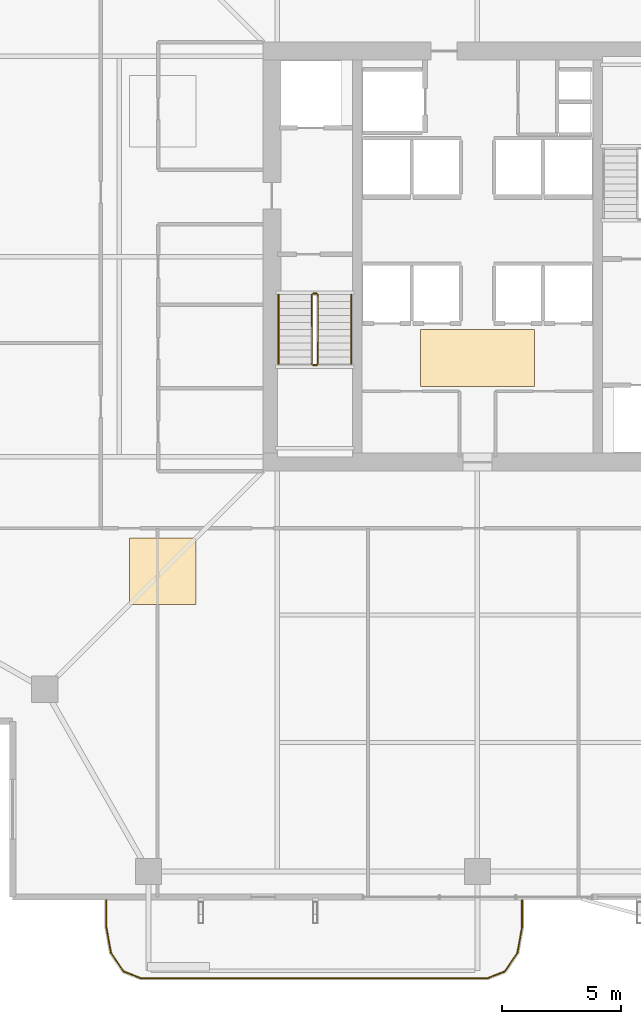
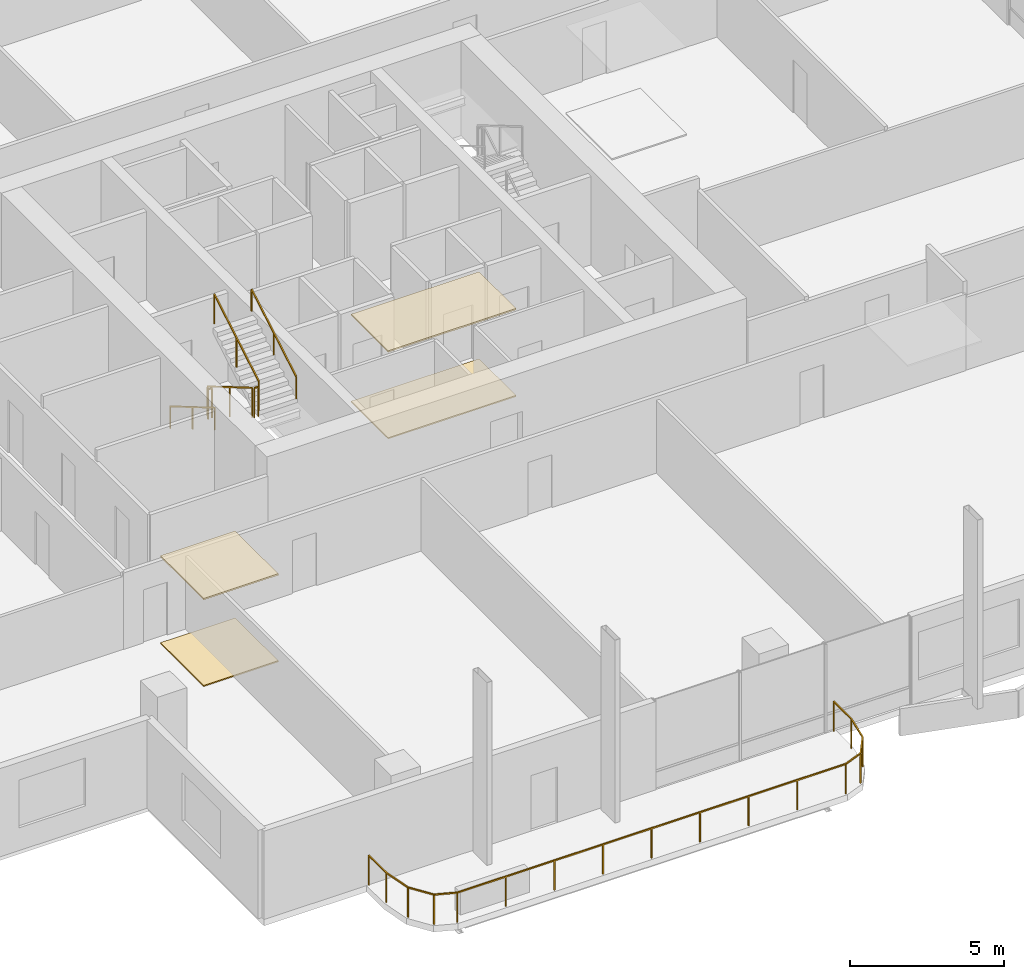
# One storey, part 21 of 24: 7 railings, 4 coverings.
"""IFC4 building model written with IfcOpenShell, lengths in metres."""

from ifc_helpers import new_model, si_unit, direction, frame, origin, origin_2d, place, context, subcontext, project, spatial, polyline, rectangle, outline, extrude, material, layer, layer_set, type_object, element, save


model = new_model("IFC4")

# Units and contexts
model_context = context("Model", 3, precision=1e-05, world=origin(), true_north=direction((0.0, 1.0)))
body_context = subcontext(model_context, "Body", "Model", "MODEL_VIEW")
ifc_project = project(units=[si_unit("LENGTHUNIT", "METRE"), si_unit("AREAUNIT", "SQUARE_METRE"), si_unit("VOLUMEUNIT", "CUBIC_METRE"), si_unit("PLANEANGLEUNIT", "RADIAN"), si_unit("MASSUNIT", "GRAM", prefix="KILO")], contexts=[model_context])

# Site, building, storey
site_placement = place(None, origin())
site = spatial("IfcSite", under=ifc_project, at=site_placement, CompositionType="ELEMENT")
building_placement = place(site_placement, origin())
building = spatial("IfcBuilding", under=site, at=building_placement, Name="Belovzor Exchange Tower", CompositionType="ELEMENT")
storey_placement = place(building_placement, frame((0.0, 0.0, 218.699951171875)))
storey = spatial("IfcBuildingStorey", under=building, at=storey_placement, Name="L54", CompositionType="ELEMENT", Elevation=218.699951171875)

# Railings
ifc_material_1 = material(Name="Stainless Steel Grade 304", Category="steel")
railing_type_1 = type_object("IfcRailingType", Name="Brushed Stainless Steel Stair Handrail 900", PredefinedType="HANDRAIL", material=ifc_material_1)
railing_1_placement = place(storey_placement, frame((20.449951171875, 27.199951171875, 0.17041015625)))
element("IfcRailing", 1, at=railing_1_placement, inside=storey, type_object=railing_type_1, Name="L54 ST-1 stair handrail 1", PredefinedType="HANDRAIL", context=body_context, shape_type="SweptSolid", body=[
    extrude(rectangle(XDim=0.048095703125, YDim=0.048095703125, at=origin_2d()), frame((0.0, 0.0, 0.8759765625), z_axis=(0.0, -0.86209462966, 0.506747323142), x_axis=(1.0, 0.0, 0.0)), (0.0, 0.0, 1.0), 3.36376953125),
    extrude(rectangle(XDim=0.0419921875, YDim=0.0419921875, at=origin_2d()), origin(), (0.0, 0.0, 1.0), 0.851806640625),
    extrude(rectangle(XDim=0.0419921875, YDim=0.0419921875, at=origin_2d()), frame((0.0, -1.449951171875, 0.852294921875)), (0.0, 0.0, 1.0), 0.851806640625),
    extrude(rectangle(XDim=0.0419921875, YDim=0.0419921875, at=origin_2d()), frame((0.0, -2.89990234375, 1.70458984375)), (0.0, 0.0, 1.0), 0.851806640625),
])
railing_2_placement = place(storey_placement, frame((23.5, 24.300048828125, 2.04541015625)))
element("IfcRailing", 2, at=railing_2_placement, inside=storey, type_object=railing_type_1, Name="L54 ST-1 stair handrail 2", PredefinedType="HANDRAIL", context=body_context, shape_type="SweptSolid", body=[
    extrude(rectangle(XDim=0.048095703125, YDim=0.048095703125, at=origin_2d()), frame((0.0, 0.0, 0.8759765625), z_axis=(0.0, 0.86209462966, 0.506747323142), x_axis=(-1.0, 0.0, 0.0)), (0.0, 0.0, 1.0), 3.36376953125),
    extrude(rectangle(XDim=0.0419921875, YDim=0.0419921875, at=origin_2d()), origin(), (0.0, 0.0, 1.0), 0.851806640625),
    extrude(rectangle(XDim=0.0419921875, YDim=0.0419921875, at=origin_2d()), frame((0.0, 1.449951171875, 0.852294921875)), (0.0, 0.0, 1.0), 0.851806640625),
    extrude(rectangle(XDim=0.0419921875, YDim=0.0419921875, at=origin_2d()), frame((0.0, 2.89990234375, 1.70458984375)), (0.0, 0.0, 1.0), 0.851806640625),
])
ifc_material_2 = material(Name="Stainless Steel and Laminated Safety Glass", Category="steel")
railing_type_2 = type_object("IfcRailingType", Name="Laminated Glass & Stainless Steel Balcony Balustrade 1200", PredefinedType="BALUSTRADE", material=ifc_material_2)
railing_3_placement = place(storey_placement, frame((13.22998046875, 1.7900390625, 0.0)))
element("IfcRailing", 3, at=railing_3_placement, inside=storey, type_object=railing_type_2, Name="GR-1 Balcony Balustrade L54 South", PredefinedType="BALUSTRADE", context=body_context, shape_type="SweptSolid", body=[
    extrude(rectangle(XDim=0.048095703125, YDim=0.048095703125, at=origin_2d()), frame((0.0, 0.0, 1.17578125), z_axis=(0.0, -1.0, 0.0), x_axis=(1.0, 0.0, 0.0)), (0.0, 0.0, 1.0), 1.133056640625),
    extrude(rectangle(XDim=0.048095703125, YDim=0.048095703125, at=origin_2d()), frame((0.0, -1.133056640625, 1.17578125), z_axis=(0.180122719713, -0.983644145941, 0.0), x_axis=(0.983644145941, 0.180122719713, 0.0)), (0.0, 0.0, 1.0), 1.09375),
    extrude(rectangle(XDim=0.048095703125, YDim=0.048095703125, at=origin_2d()), frame((0.197021484375, -2.208984375, 1.17578125), z_axis=(0.562768145367, -0.826614792125, 0.0), x_axis=(0.826614792125, 0.562768145367, 0.0)), (0.0, 0.0, 1.0), 0.9326171875),
    extrude(rectangle(XDim=0.048095703125, YDim=0.048095703125, at=origin_2d()), frame((0.721923828125, -2.97998046875, 1.17578125), z_axis=(0.930809580156, -0.365504480807, 0.0), x_axis=(0.365504480807, 0.930809580156, 0.0)), (0.0, 0.0, 1.0), 0.76611328125),
    extrude(rectangle(XDim=0.048095703125, YDim=0.048095703125, at=origin_2d()), frame((1.43505859375, -3.260009765625, 1.17578125), z_axis=(1.0, 0.0, 0.0), x_axis=(0.0, 1.0, 0.0)), (0.0, 0.0, 1.0), 14.570068359375),
    extrude(rectangle(XDim=0.048095703125, YDim=0.048095703125, at=origin_2d()), frame((16.005126953125, -3.260009765625, 1.17578125), z_axis=(0.930766990125, 0.365612923861, 0.0), x_axis=(-0.365612923861, 0.930766990125, 0.0)), (0.0, 0.0, 1.0), 0.765869140625),
    extrude(rectangle(XDim=0.048095703125, YDim=0.048095703125, at=origin_2d()), frame((16.718017578125, -2.97998046875, 1.17578125), z_axis=(0.562768145367, 0.826614792125, 0.0), x_axis=(-0.826614792125, 0.562768145367, 0.0)), (0.0, 0.0, 1.0), 0.9326171875),
    extrude(rectangle(XDim=0.048095703125, YDim=0.048095703125, at=origin_2d()), frame((17.242919921875, -2.208984375, 1.17578125), z_axis=(0.180122719713, 0.983644145941, 0.0), x_axis=(-0.983644145941, 0.180122719713, 0.0)), (0.0, 0.0, 1.0), 1.09375),
    extrude(rectangle(XDim=0.048095703125, YDim=0.048095703125, at=origin_2d()), frame((17.43994140625, -1.133056640625, 1.17578125), z_axis=(0.0, 1.0, 0.0), x_axis=(-1.0, 0.0, 0.0)), (0.0, 0.0, 1.0), 1.133056640625),
    extrude(rectangle(XDim=0.0419921875, YDim=0.0419921875, at=origin_2d()), origin(), (0.0, 0.0, 1.0), 1.15185546875),
    extrude(rectangle(XDim=0.0419921875, YDim=0.0419921875, at=origin_2d()), frame((0.0, -1.133056640625, 0.0)), (0.0, 0.0, 1.0), 1.15185546875),
    extrude(rectangle(XDim=0.0419921875, YDim=0.0419921875, at=origin_2d()), frame((0.197021484375, -2.208984375, 0.0)), (0.0, 0.0, 1.0), 1.15185546875),
    extrude(rectangle(XDim=0.0419921875, YDim=0.0419921875, at=origin_2d()), frame((0.721923828125, -2.97998046875, 0.0)), (0.0, 0.0, 1.0), 1.15185546875),
    extrude(rectangle(XDim=0.0419921875, YDim=0.0419921875, at=origin_2d()), frame((1.43505859375, -3.260009765625, 0.0)), (0.0, 0.0, 1.0), 1.15185546875),
    extrude(rectangle(XDim=0.0419921875, YDim=0.0419921875, at=origin_2d()), frame((3.25634765625, -3.260009765625, 0.0)), (0.0, 0.0, 1.0), 1.15185546875),
    extrude(rectangle(XDim=0.0419921875, YDim=0.0419921875, at=origin_2d()), frame((5.07763671875, -3.260009765625, 0.0)), (0.0, 0.0, 1.0), 1.15185546875),
    extrude(rectangle(XDim=0.0419921875, YDim=0.0419921875, at=origin_2d()), frame((6.89892578125, -3.260009765625, 0.0)), (0.0, 0.0, 1.0), 1.15185546875),
    extrude(rectangle(XDim=0.0419921875, YDim=0.0419921875, at=origin_2d()), frame((8.72021484375, -3.260009765625, 0.0)), (0.0, 0.0, 1.0), 1.15185546875),
    extrude(rectangle(XDim=0.0419921875, YDim=0.0419921875, at=origin_2d()), frame((10.541259765625, -3.260009765625, 0.0)), (0.0, 0.0, 1.0), 1.15185546875),
    extrude(rectangle(XDim=0.0419921875, YDim=0.0419921875, at=origin_2d()), frame((12.362548828125, -3.260009765625, 0.0)), (0.0, 0.0, 1.0), 1.15185546875),
    extrude(rectangle(XDim=0.0419921875, YDim=0.0419921875, at=origin_2d()), frame((14.183837890625, -3.260009765625, 0.0)), (0.0, 0.0, 1.0), 1.15185546875),
    extrude(rectangle(XDim=0.0419921875, YDim=0.0419921875, at=origin_2d()), frame((16.005126953125, -3.260009765625, 0.0)), (0.0, 0.0, 1.0), 1.15185546875),
    extrude(rectangle(XDim=0.0419921875, YDim=0.0419921875, at=origin_2d()), frame((16.718017578125, -2.97998046875, 0.0)), (0.0, 0.0, 1.0), 1.15185546875),
    extrude(rectangle(XDim=0.0419921875, YDim=0.0419921875, at=origin_2d()), frame((17.242919921875, -2.208984375, 0.0)), (0.0, 0.0, 1.0), 1.15185546875),
    extrude(rectangle(XDim=0.0419921875, YDim=0.0419921875, at=origin_2d()), frame((17.43994140625, -1.133056640625, 0.0)), (0.0, 0.0, 1.0), 1.15185546875),
    extrude(rectangle(XDim=0.0419921875, YDim=0.0419921875, at=origin_2d()), frame((17.43994140625, 0.0, 0.0)), (0.0, 0.0, 1.0), 1.15185546875),
])
ifc_material_3 = material(Name="Steel S355", Category="steel")
railing_type_3 = type_object("IfcRailingType", Name="Painted Steel Stairwell Guardrail 1200", PredefinedType="GUARDRAIL", material=ifc_material_3)
railing_4_placement = place(storey_placement, frame((21.85009765625, 27.199951171875, 0.17041015625)))
element("IfcRailing", 4, at=railing_4_placement, inside=storey, type_object=railing_type_3, Name="L54 ST-1 stair guard 1", PredefinedType="GUARDRAIL", context=body_context, shape_type="SweptSolid", body=[
    extrude(rectangle(XDim=0.048095703125, YDim=0.048095703125, at=origin_2d()), frame((0.0, 0.0, 1.17578125), z_axis=(0.0, -0.86209462966, 0.506747323142), x_axis=(1.0, 0.0, 0.0)), (0.0, 0.0, 1.0), 3.36376953125),
    extrude(rectangle(XDim=0.0419921875, YDim=0.0419921875, at=origin_2d()), origin(), (0.0, 0.0, 1.0), 1.15185546875),
    extrude(rectangle(XDim=0.0419921875, YDim=0.0419921875, at=origin_2d()), frame((0.0, -1.449951171875, 0.852294921875)), (0.0, 0.0, 1.0), 1.15185546875),
    extrude(rectangle(XDim=0.0419921875, YDim=0.0419921875, at=origin_2d()), frame((0.0, -2.89990234375, 1.70458984375)), (0.0, 0.0, 1.0), 1.15185546875),
])
railing_5_placement = place(storey_placement, frame((21.89990234375, 24.25, 1.875)))
element("IfcRailing", 5, at=railing_5_placement, inside=storey, type_object=railing_type_3, Name="L54 ST-1 stair guard 2", PredefinedType="GUARDRAIL", context=body_context, shape_type="SweptSolid", body=[
    extrude(rectangle(XDim=0.048095703125, YDim=0.048095703125, at=origin_2d()), frame((0.0, 0.0, 1.17578125), z_axis=(1.0, 0.0, 0.0), x_axis=(0.0, 1.0, 0.0)), (0.0, 0.0, 1.0), 0.150146484375),
    extrude(rectangle(XDim=0.0419921875, YDim=0.0419921875, at=origin_2d()), origin(), (0.0, 0.0, 1.0), 1.15185546875),
    extrude(rectangle(XDim=0.0419921875, YDim=0.0419921875, at=origin_2d()), frame((0.150146484375, 0.0, 0.0)), (0.0, 0.0, 1.0), 1.15185546875),
])
railing_6_placement = place(storey_placement, frame((22.10009765625, 24.300048828125, 2.04541015625)))
element("IfcRailing", 6, at=railing_6_placement, inside=storey, type_object=railing_type_3, Name="L54 ST-1 stair guard 3", PredefinedType="GUARDRAIL", context=body_context, shape_type="SweptSolid", body=[
    extrude(rectangle(XDim=0.048095703125, YDim=0.048095703125, at=origin_2d()), frame((0.0, 0.0, 1.17578125), z_axis=(0.0, 0.86209462966, 0.506747323142), x_axis=(-1.0, 0.0, 0.0)), (0.0, 0.0, 1.0), 3.36376953125),
    extrude(rectangle(XDim=0.0419921875, YDim=0.0419921875, at=origin_2d()), origin(), (0.0, 0.0, 1.0), 1.15185546875),
    extrude(rectangle(XDim=0.0419921875, YDim=0.0419921875, at=origin_2d()), frame((0.0, 1.449951171875, 0.852294921875)), (0.0, 0.0, 1.0), 1.15185546875),
    extrude(rectangle(XDim=0.0419921875, YDim=0.0419921875, at=origin_2d()), frame((0.0, 2.89990234375, 1.70458984375)), (0.0, 0.0, 1.0), 1.15185546875),
])
railing_7_placement = place(storey_placement, frame((21.89990234375, 27.25, 0.0)))
element("IfcRailing", 7, at=railing_7_placement, inside=storey, type_object=railing_type_3, Name="L54 ST-1 stair guard 4", PredefinedType="GUARDRAIL", context=body_context, shape_type="SweptSolid", body=[
    extrude(rectangle(XDim=0.048095703125, YDim=0.048095703125, at=origin_2d()), frame((0.0, 0.0, 1.17578125), z_axis=(1.0, 0.0, 0.0), x_axis=(0.0, 1.0, 0.0)), (0.0, 0.0, 1.0), 0.150146484375),
    extrude(rectangle(XDim=0.0419921875, YDim=0.0419921875, at=origin_2d()), origin(), (0.0, 0.0, 1.0), 1.15185546875),
    extrude(rectangle(XDim=0.0419921875, YDim=0.0419921875, at=origin_2d()), frame((0.150146484375, 0.0, 0.0)), (0.0, 0.0, 1.0), 1.15185546875),
])

# Coverings
ifc_material_4 = material(Name="Perforated Powder-Coated Aluminium", Category="aluminium")
ifc_layer_1 = layer(ifc_material_4, 0.06005859375)
ifc_layer_set_1 = layer_set([ifc_layer_1], Name="Perforated Powder-Coated Aluminium")
covering_type_1 = type_object("IfcCoveringType", Name="Perforated Acoustic Metal Tile Suspended Ceiling 60", PredefinedType="CEILING", material=ifc_layer_set_1)
covering_1_placement = place(storey_placement, frame((0.0, 0.0, 3.43994140625)))
element("IfcCovering", 8, at=covering_1_placement, inside=storey, type_object=covering_type_1, Name="CLG-AC60 Suspended Ceiling CLG-L54-LOB", PredefinedType="CEILING", context=body_context, shape_type="SweptSolid", body=[
    extrude(outline(polyline([(26.39990234375, 23.35009765625), (31.199951171875, 23.35009765625), (31.199951171875, 25.75), (26.39990234375, 25.75), (26.39990234375, 23.35009765625)])), origin(), (0.0, 0.0, 1.0), 0.06005859375),
])
covering_2_placement = place(storey_placement, frame((0.0, 0.0, 3.43994140625)))
element("IfcCovering", 9, at=covering_2_placement, inside=storey, type_object=covering_type_1, Name="CLG-AC60 Suspended Ceiling CLG-L54-Z0", PredefinedType="CEILING", context=body_context, shape_type="SweptSolid", body=[
    extrude(outline(polyline([(14.199951171875, 14.199951171875), (17.0, 14.199951171875), (17.0, 17.0), (14.199951171875, 17.0), (14.199951171875, 14.199951171875)])), origin(), (0.0, 0.0, 1.0), 0.06005859375),
])
ifc_material_5 = material(Name="Polished Natural Granite Tile", Category="masonry")
ifc_layer_2 = layer(ifc_material_5, 0.050048828125)
ifc_layer_set_2 = layer_set([ifc_layer_2], Name="Polished Natural Granite Tile")
covering_type_2 = type_object("IfcCoveringType", Name="Polished Karelian Granite & Raised Access Floor Finish 50", PredefinedType="FLOORING", material=ifc_layer_set_2)
covering_3_placement = place(storey_placement, origin())
element("IfcCovering", 10, at=covering_3_placement, inside=storey, type_object=covering_type_2, Name="FLR-GR50 Floor Finish FLR-L54-LOB", PredefinedType="FLOORING", context=body_context, shape_type="SweptSolid", body=[
    extrude(outline(polyline([(26.39990234375, 23.35009765625), (31.199951171875, 23.35009765625), (31.199951171875, 25.75), (26.39990234375, 25.75), (26.39990234375, 23.35009765625)])), origin(), (0.0, 0.0, 1.0), 0.050048828125),
])
covering_4_placement = place(storey_placement, origin())
element("IfcCovering", 11, at=covering_4_placement, inside=storey, type_object=covering_type_2, Name="FLR-GR50 Floor Finish FLR-L54-Z0", PredefinedType="FLOORING", context=body_context, shape_type="SweptSolid", body=[
    extrude(outline(polyline([(14.199951171875, 14.199951171875), (17.0, 14.199951171875), (17.0, 17.0), (14.199951171875, 17.0), (14.199951171875, 14.199951171875)])), origin(), (0.0, 0.0, 1.0), 0.050048828125),
])

save(model, "model.ifc")
